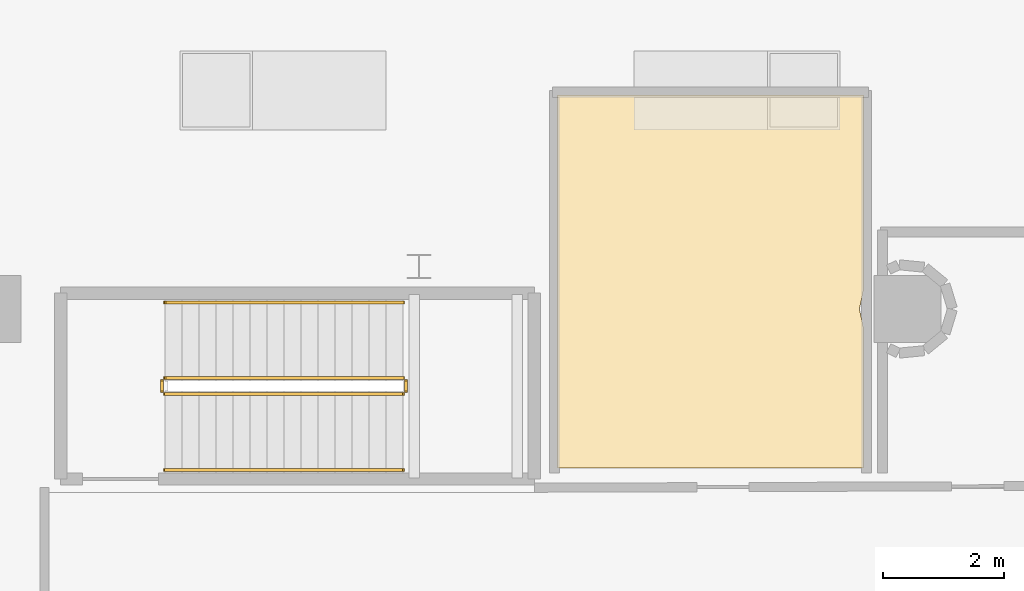
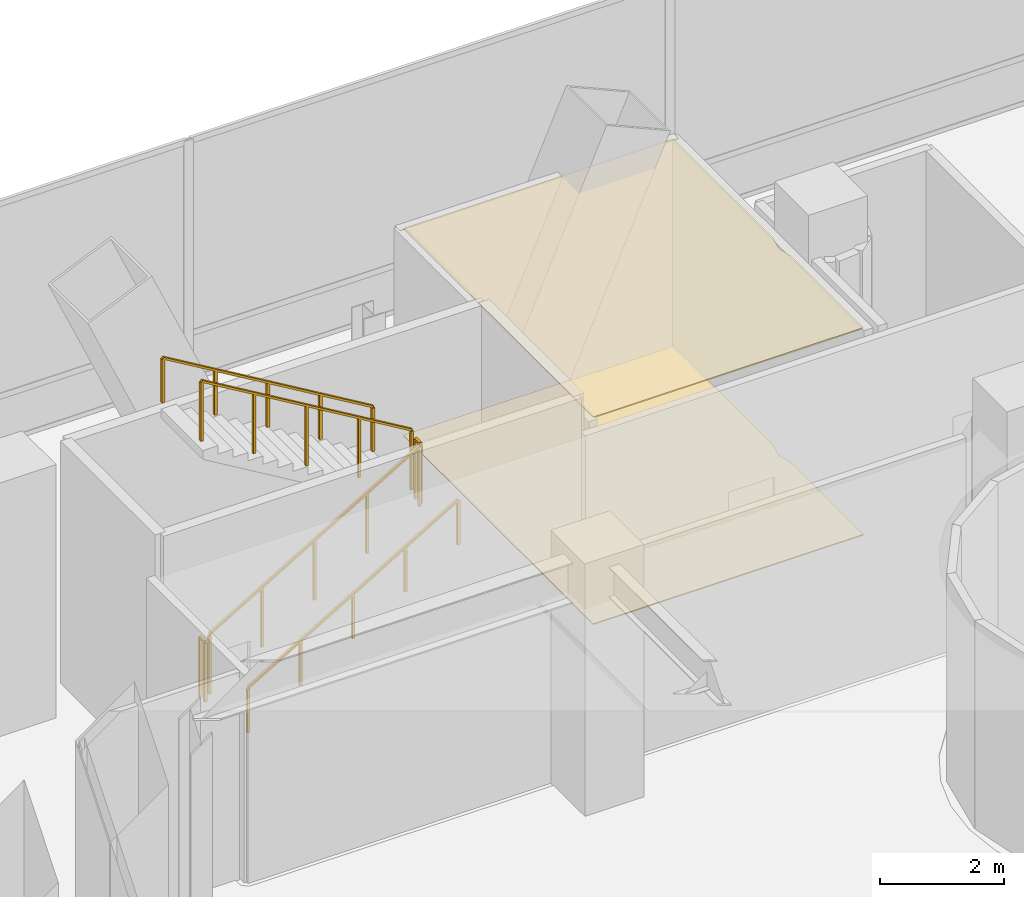
# One storey, part 41 of 42: 6 railings, 2 coverings.
"""IFC4 building model written with IfcOpenShell, lengths in metres."""

from ifc_helpers import new_model, si_unit, direction, frame, origin, origin_2d, place, context, subcontext, project, spatial, polyline, rectangle, outline, extrude, material, layer, layer_set, type_object, element, save


model = new_model("IFC4")

# Units and contexts
model_context = context("Model", 3, precision=1e-05, world=origin(), true_north=direction((0.0, 1.0)))
body_context = subcontext(model_context, "Body", "Model", "MODEL_VIEW")
ifc_project = project(units=[si_unit("LENGTHUNIT", "METRE"), si_unit("AREAUNIT", "SQUARE_METRE"), si_unit("VOLUMEUNIT", "CUBIC_METRE"), si_unit("PLANEANGLEUNIT", "RADIAN"), si_unit("MASSUNIT", "GRAM", prefix="KILO")], contexts=[model_context])

# Site, building, storey
site_placement = place(None, origin())
site = spatial("IfcSite", under=ifc_project, at=site_placement, CompositionType="ELEMENT")
building_placement = place(site_placement, origin())
building = spatial("IfcBuilding", under=site, at=building_placement, Name="Qianvela Tower", CompositionType="ELEMENT")
storey_placement = place(building_placement, frame((0.0, 0.0, 6.0)))
storey = spatial("IfcBuildingStorey", under=building, at=storey_placement, Name="L01", CompositionType="ELEMENT", Elevation=6.0)

# Coverings
ifc_material_1 = material(Name="Perforated Mineral Acoustic Ceiling Tile")
ifc_layer_1 = layer(ifc_material_1, 0.02490234375)
ifc_layer_set_1 = layer_set([ifc_layer_1], Name="Perforated Mineral Acoustic Ceiling Tile")
covering_type_1 = type_object("IfcCoveringType", Name="COV-CEIL-ACOUSTIC-25", PredefinedType="CEILING", material=ifc_layer_set_1)
covering_1_placement = place(storey_placement, frame((0.0, 0.0, 4.074951171875)))
element("IfcCovering", 1, at=covering_1_placement, inside=storey, type_object=covering_type_1, Name="L01 Acoustic Ceiling L01 Public Washrooms", PredefinedType="CEILING", context=body_context, shape_type="SweptSolid", body=[
    extrude(outline(polyline([(17.280029296875, 41.280029296875), (17.280029296875, 47.419921875), (22.320068359375, 47.419921875), (22.320068359375, 44.201904296875), (22.256591796875, 43.91748046875), (22.255126953125, 43.90869140625), (22.254638671875, 43.89990234375), (22.255126953125, 43.89111328125), (22.256591796875, 43.882568359375), (22.320068359375, 43.59814453125), (22.320068359375, 41.280029296875), (17.280029296875, 41.280029296875)])), origin(), (0.0, 0.0, 1.0), 0.025146484375),
])
ifc_material_2 = material(Name="Engineered Acoustic Oak Timber Flooring", Category="wood")
ifc_layer_2 = layer(ifc_material_2, 0.02001953125)
ifc_layer_set_2 = layer_set([ifc_layer_2], Name="Engineered Acoustic Oak Timber Flooring")
covering_type_2 = type_object("IfcCoveringType", Name="COV-FLOOR-OAK-20", PredefinedType="FLOORING", material=ifc_layer_set_2)
covering_2_placement = place(storey_placement, origin())
element("IfcCovering", 2, at=covering_2_placement, inside=storey, type_object=covering_type_2, Name="L01 Finish Flooring L01 Public Washrooms", PredefinedType="FLOORING", context=body_context, shape_type="SweptSolid", body=[
    extrude(outline(polyline([(17.280029296875, 41.280029296875), (17.280029296875, 47.419921875), (22.320068359375, 47.419921875), (22.320068359375, 44.201904296875), (22.256591796875, 43.91748046875), (22.255126953125, 43.90869140625), (22.254638671875, 43.89990234375), (22.255126953125, 43.89111328125), (22.256591796875, 43.882568359375), (22.320068359375, 43.59814453125), (22.320068359375, 41.280029296875), (17.280029296875, 41.280029296875)])), origin(), (0.0, 0.0, 1.0), 0.02001953125),
])

# Railings
ifc_material_3 = material(Name="Painted Tubular Steel Q355B", Category="steel")
railing_type_1 = type_object("IfcRailingType", Name="RL-STAIR-GUARD-1200", PredefinedType="GUARDRAIL", material=ifc_material_3)
railing_1_placement = place(storey_placement, frame((10.820068359375, 42.5, 0.166748046875)))
element("IfcRailing", 3, at=railing_1_placement, inside=storey, type_object=railing_type_1, Name="L01 ST-3 stair guard 1", PredefinedType="GUARDRAIL", context=body_context, shape_type="SweptSolid", body=[
    extrude(rectangle(XDim=0.050048828125, YDim=0.0400390625, at=origin_2d()), frame((0.0, 0.0, 1.179931640625), z_axis=(0.859296244711, 0.0, 0.511478214419), x_axis=(0.0, 1.0, 0.0)), (0.0, 0.0, 1.0), 4.561767578125),
    extrude(rectangle(XDim=0.050048828125, YDim=0.050048828125, at=origin_2d()), origin(), (0.0, 0.0, 1.0), 1.159912109375),
    extrude(rectangle(XDim=0.050048828125, YDim=0.050048828125, at=origin_2d()), frame((0.97998046875, 0.0, 0.583251953125)), (0.0, 0.0, 1.0), 1.159912109375),
    extrude(rectangle(XDim=0.050048828125, YDim=0.050048828125, at=origin_2d()), frame((1.9599609375, 0.0, 1.16650390625)), (0.0, 0.0, 1.0), 1.159912109375),
    extrude(rectangle(XDim=0.050048828125, YDim=0.050048828125, at=origin_2d()), frame((2.93994140625, 0.0, 1.75)), (0.0, 0.0, 1.0), 1.159912109375),
    extrude(rectangle(XDim=0.050048828125, YDim=0.050048828125, at=origin_2d()), frame((3.919921875, 0.0, 2.333251953125)), (0.0, 0.0, 1.0), 1.159912109375),
])
railing_2_placement = place(storey_placement, frame((14.7900390625, 42.550048828125, 2.5)))
element("IfcRailing", 4, at=railing_2_placement, inside=storey, type_object=railing_type_1, Name="L01 ST-3 stair guard 2", PredefinedType="GUARDRAIL", context=body_context, shape_type="SweptSolid", body=[
    extrude(rectangle(XDim=0.050048828125, YDim=0.0400390625, at=origin_2d()), frame((0.0, 0.0, 1.179931640625), z_axis=(0.0, 1.0, 0.0), x_axis=(-1.0, 0.0, 0.0)), (0.0, 0.0, 1.0), 0.159912109375),
    extrude(rectangle(XDim=0.050048828125, YDim=0.050048828125, at=origin_2d()), origin(), (0.0, 0.0, 1.0), 1.159912109375),
    extrude(rectangle(XDim=0.050048828125, YDim=0.050048828125, at=origin_2d()), frame((0.0, 0.159912109375, 0.0)), (0.0, 0.0, 1.0), 1.159912109375),
])
railing_3_placement = place(storey_placement, frame((14.739990234375, 42.760009765625, 2.666748046875)))
element("IfcRailing", 5, at=railing_3_placement, inside=storey, type_object=railing_type_1, Name="L01 ST-3 stair guard 3", PredefinedType="GUARDRAIL", context=body_context, shape_type="SweptSolid", body=[
    extrude(rectangle(XDim=0.050048828125, YDim=0.0400390625, at=origin_2d()), frame((0.0, 0.0, 1.179931640625), z_axis=(-0.859296244711, 0.0, 0.511478214419), x_axis=(0.0, -1.0, 0.0)), (0.0, 0.0, 1.0), 4.561767578125),
    extrude(rectangle(XDim=0.050048828125, YDim=0.050048828125, at=origin_2d()), origin(), (0.0, 0.0, 1.0), 1.159912109375),
    extrude(rectangle(XDim=0.050048828125, YDim=0.050048828125, at=origin_2d()), frame((-0.97998046875, 0.0, 0.583251953125)), (0.0, 0.0, 1.0), 1.159912109375),
    extrude(rectangle(XDim=0.050048828125, YDim=0.050048828125, at=origin_2d()), frame((-1.9599609375, 0.0, 1.16650390625)), (0.0, 0.0, 1.0), 1.159912109375),
    extrude(rectangle(XDim=0.050048828125, YDim=0.050048828125, at=origin_2d()), frame((-2.93994140625, 0.0, 1.75)), (0.0, 0.0, 1.0), 1.159912109375),
    extrude(rectangle(XDim=0.050048828125, YDim=0.050048828125, at=origin_2d()), frame((-3.919921875, 0.0, 2.333251953125)), (0.0, 0.0, 1.0), 1.159912109375),
])
railing_4_placement = place(storey_placement, frame((10.77001953125, 42.550048828125, 0.0)))
element("IfcRailing", 6, at=railing_4_placement, inside=storey, type_object=railing_type_1, Name="L01 ST-3 stair guard 4", PredefinedType="GUARDRAIL", context=body_context, shape_type="SweptSolid", body=[
    extrude(rectangle(XDim=0.050048828125, YDim=0.0400390625, at=origin_2d()), frame((0.0, 0.0, 1.179931640625), z_axis=(0.0, 1.0, 0.0), x_axis=(-1.0, 0.0, 0.0)), (0.0, 0.0, 1.0), 0.159912109375),
    extrude(rectangle(XDim=0.050048828125, YDim=0.050048828125, at=origin_2d()), origin(), (0.0, 0.0, 1.0), 1.159912109375),
    extrude(rectangle(XDim=0.050048828125, YDim=0.050048828125, at=origin_2d()), frame((0.0, 0.159912109375, 0.0)), (0.0, 0.0, 1.0), 1.159912109375),
])
ifc_material_4 = material(Name="Brushed Stainless Steel 304", Category="steel")
railing_type_2 = type_object("IfcRailingType", Name="RL-STAIR-HANDRAIL-900", PredefinedType="HANDRAIL", material=ifc_material_4)
railing_5_placement = place(storey_placement, frame((10.820068359375, 41.25, 0.166748046875)))
element("IfcRailing", 7, at=railing_5_placement, inside=storey, type_object=railing_type_2, Name="L01 ST-3 stair handrail 1", PredefinedType="HANDRAIL", context=body_context, shape_type="SweptSolid", body=[
    extrude(rectangle(XDim=0.050048828125, YDim=0.0400390625, at=origin_2d()), frame((0.0, 0.0, 0.8798828125), z_axis=(0.859296244711, 0.0, 0.511478214419), x_axis=(0.0, 1.0, 0.0)), (0.0, 0.0, 1.0), 4.561767578125),
    extrude(rectangle(XDim=0.050048828125, YDim=0.050048828125, at=origin_2d()), origin(), (0.0, 0.0, 1.0), 0.85986328125),
    extrude(rectangle(XDim=0.050048828125, YDim=0.050048828125, at=origin_2d()), frame((0.97998046875, 0.0, 0.583251953125)), (0.0, 0.0, 1.0), 0.85986328125),
    extrude(rectangle(XDim=0.050048828125, YDim=0.050048828125, at=origin_2d()), frame((1.9599609375, 0.0, 1.16650390625)), (0.0, 0.0, 1.0), 0.85986328125),
    extrude(rectangle(XDim=0.050048828125, YDim=0.050048828125, at=origin_2d()), frame((2.93994140625, 0.0, 1.75)), (0.0, 0.0, 1.0), 0.85986328125),
    extrude(rectangle(XDim=0.050048828125, YDim=0.050048828125, at=origin_2d()), frame((3.919921875, 0.0, 2.333251953125)), (0.0, 0.0, 1.0), 0.85986328125),
])
railing_6_placement = place(storey_placement, frame((14.739990234375, 44.010009765625, 2.666748046875)))
element("IfcRailing", 8, at=railing_6_placement, inside=storey, type_object=railing_type_2, Name="L01 ST-3 stair handrail 2", PredefinedType="HANDRAIL", context=body_context, shape_type="SweptSolid", body=[
    extrude(rectangle(XDim=0.050048828125, YDim=0.0400390625, at=origin_2d()), frame((0.0, 0.0, 0.8798828125), z_axis=(-0.859296244711, 0.0, 0.511478214419), x_axis=(0.0, -1.0, 0.0)), (0.0, 0.0, 1.0), 4.561767578125),
    extrude(rectangle(XDim=0.050048828125, YDim=0.050048828125, at=origin_2d()), origin(), (0.0, 0.0, 1.0), 0.85986328125),
    extrude(rectangle(XDim=0.050048828125, YDim=0.050048828125, at=origin_2d()), frame((-0.97998046875, 0.0, 0.583251953125)), (0.0, 0.0, 1.0), 0.85986328125),
    extrude(rectangle(XDim=0.050048828125, YDim=0.050048828125, at=origin_2d()), frame((-1.9599609375, 0.0, 1.16650390625)), (0.0, 0.0, 1.0), 0.85986328125),
    extrude(rectangle(XDim=0.050048828125, YDim=0.050048828125, at=origin_2d()), frame((-2.93994140625, 0.0, 1.75)), (0.0, 0.0, 1.0), 0.85986328125),
    extrude(rectangle(XDim=0.050048828125, YDim=0.050048828125, at=origin_2d()), frame((-3.919921875, 0.0, 2.333251953125)), (0.0, 0.0, 1.0), 0.85986328125),
])

save(model, "model.ifc")
